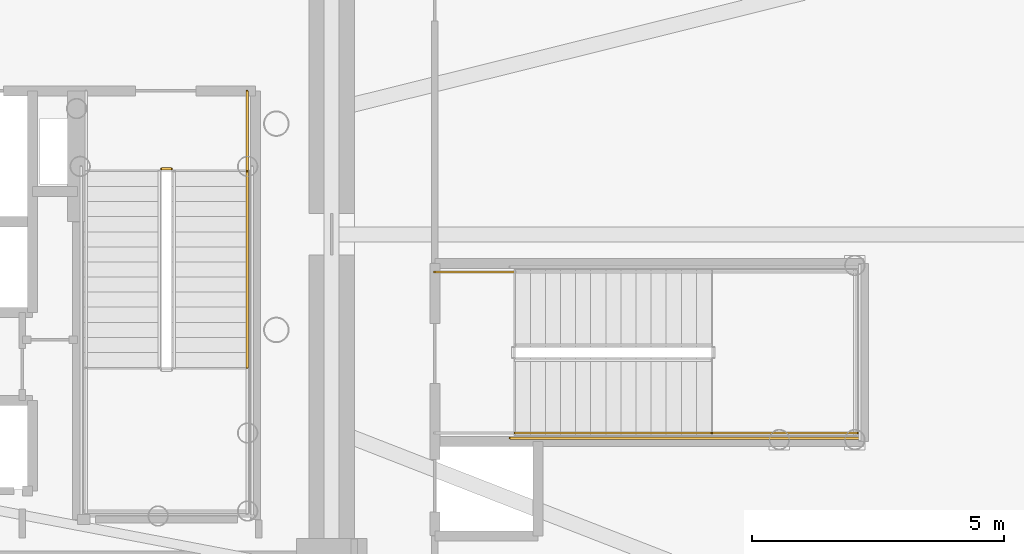
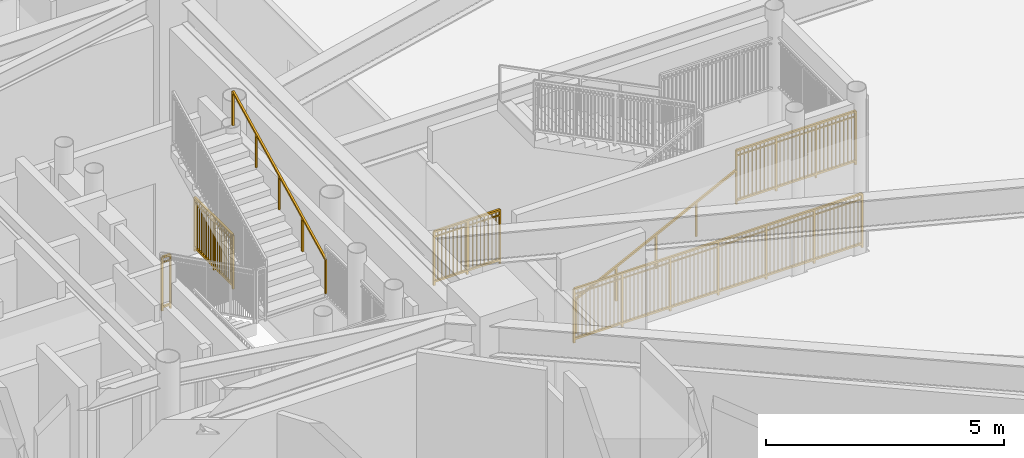
# One storey, part 27 of 30: 7 railings.
"""IFC4 building model written with IfcOpenShell, lengths in metres."""

import ifcopenshell
import ifcopenshell.guid

model = None  # the IFC model being written
_history = None  # IfcOwnerHistory: only IFC2X3 demands one
_inside = {}  # id of a spatial element -> (the spatial element, [elements in it])
_under = {}  # id of a project, library or spatial element -> (it, [spatial elements below it])
_declared = {}  # id of a project -> (the project, [libraries it declares])
_typed = {}  # id of a type object -> (the type object, [elements of that type])
_made_of = {}  # id of a material, layer set ... -> (it, [elements and type objects made of it])


def new_model(schema):
    """Start an empty IFC model of exactly this schema.

    Asked for "IFC4X3", IfcOpenShell would pick the latest addendum, in which some entities
    have other attributes; the version numbers below select the first issue.
    IFC2X3 requires an IfcOwnerHistory on every rooted entity: one is made here for all.
    """
    global model, _history
    if schema == "IFC4X3":
        model = ifcopenshell.file(schema_version=(4, 3, 0, 0))
    else:
        model = ifcopenshell.file(schema=schema)
    _inside.clear()
    _under.clear()
    _declared.clear()
    _typed.clear()
    _made_of.clear()
    _history = None
    if model.schema == "IFC2X3":
        org = make("IfcOrganization", Name="unknown")
        user = make(
            "IfcPersonAndOrganization",
            ThePerson=make("IfcPerson", FamilyName="unknown"),
            TheOrganization=org,
        )
        app = make(
            "IfcApplication",
            ApplicationDeveloper=org,
            Version="unknown",
            ApplicationFullName="unknown",
            ApplicationIdentifier="unknown",
        )
        _history = make(
            "IfcOwnerHistory",
            OwningUser=user,
            OwningApplication=app,
            ChangeAction="ADDED",
            CreationDate=0,
        )
    return model


def make(cls, **values):
    """One entity of the class cls with the attributes given. An attribute that is None is left unset."""
    return model.create_entity(
        cls, **{name: value for name, value in values.items() if value is not None}
    )


def rooted(cls, **values):
    """An entity with a GlobalId (a new one), such as an element, a storey or a relation."""
    return make(cls, GlobalId=ifcopenshell.guid.new(), OwnerHistory=_history, **values)


def si_unit(unit_type, name, prefix=None):
    """IfcSIUnit, for example si_unit("LENGTHUNIT", "METRE", prefix="MILLI")."""
    return make("IfcSIUnit", UnitType=unit_type, Prefix=prefix, Name=name)


def assignment(units):
    """IfcUnitAssignment: the units of a project."""
    return None if units is None else make("IfcUnitAssignment", Units=units)


def point(xyz):
    """IfcCartesianPoint."""
    return None if xyz is None else make("IfcCartesianPoint", Coordinates=xyz)


def direction(xyz):
    """IfcDirection."""
    return None if xyz is None else make("IfcDirection", DirectionRatios=xyz)


def frame(location, z_axis=None, x_axis=None):
    """IfcAxis2Placement3D, a coordinate frame: its origin and axes. An axis left out is left unset."""
    return make(
        "IfcAxis2Placement3D",
        Location=point(location),
        Axis=direction(z_axis),
        RefDirection=direction(x_axis),
    )


def frame_2d(location, x_axis=None):
    """IfcAxis2Placement2D, a coordinate frame in the plane: its origin and x axis."""
    return make(
        "IfcAxis2Placement2D", Location=point(location), RefDirection=direction(x_axis)
    )


def origin():
    """The frame at (0, 0, 0) with its axes left unset."""
    return frame((0.0, 0.0, 0.0))


def origin_2d():
    """The frame at (0, 0) in the plane with its x axis left unset."""
    return frame_2d((0.0, 0.0))


def place(relative_to, where):
    """IfcLocalPlacement: puts the frame where relative to a parent placement (None: the world)."""
    return make(
        "IfcLocalPlacement", PlacementRelTo=relative_to, RelativePlacement=where
    )


def context(
    kind, dimensions, precision=None, world=None, true_north=None, identifier=None
):
    """IfcGeometricRepresentationContext, for example the 3D "Model" context."""
    return make(
        "IfcGeometricRepresentationContext",
        ContextIdentifier=identifier,
        ContextType=kind,
        CoordinateSpaceDimension=dimensions,
        Precision=precision,
        WorldCoordinateSystem=world,
        TrueNorth=true_north,
    )


def subcontext(parent, identifier, kind, view, scale=None):
    """IfcGeometricRepresentationSubContext, for example "Body" below "Model"."""
    return make(
        "IfcGeometricRepresentationSubContext",
        ContextIdentifier=identifier,
        ContextType=kind,
        ParentContext=parent,
        TargetScale=scale,
        TargetView=view,
    )


def project(units=None, contexts=None):
    """IfcProject with its units and contexts."""
    return rooted(
        "IfcProject",
        Name="project",
        RepresentationContexts=contexts,
        UnitsInContext=assignment(units),
    )


def spatial(cls, under=None, at=None, **own):
    """A site, building, storey or space (cls), placed at a placement, below another one or the project."""
    s = rooted(cls, ObjectPlacement=at, **own)
    if under is not None:
        _under.setdefault(under.id(), (under, []))[1].append(s)
    return s


def profile(cls, at=None, kind="AREA", **sizes):
    """A parametric profile (cls). Its sizes go by their IFC names, for example OverallWidth=200.0."""
    return make(cls, ProfileType=kind, Position=at, **sizes)


def rectangle(**sizes):
    """IfcRectangleProfileDef."""
    return profile("IfcRectangleProfileDef", **sizes)


def extrude(swept, where, along, depth):
    """IfcExtrudedAreaSolid: the profile swept, set in the frame where, extruded along a direction by depth."""
    return make(
        "IfcExtrudedAreaSolid",
        SweptArea=swept,
        Position=where,
        ExtrudedDirection=direction(along),
        Depth=depth,
    )


def shape(context_of_items, identifier, shape_type, items):
    """IfcShapeRepresentation: the items that make up one representation, for example the "Body"."""
    return make(
        "IfcShapeRepresentation",
        ContextOfItems=context_of_items,
        RepresentationIdentifier=identifier,
        RepresentationType=shape_type,
        Items=items,
    )


def source(mapping_origin, context_of_items, identifier, shape_type, items):
    """IfcRepresentationMap: a shape defined once, which mapped items show again and again."""
    return make(
        "IfcRepresentationMap",
        MappingOrigin=mapping_origin,
        MappedRepresentation=shape(context_of_items, identifier, shape_type, items),
    )


def transform(
    local_origin,
    x_axis=None,
    y_axis=None,
    z_axis=None,
    scale=None,
    scale2=None,
    scale3=None,
    uniform=True,
):
    """IfcCartesianTransformationOperator3D, or its non-uniform kind. x_axis, y_axis, z_axis: its Axis1, 2, 3."""
    if uniform:
        return make(
            "IfcCartesianTransformationOperator3D",
            Axis1=direction(x_axis),
            Axis2=direction(y_axis),
            LocalOrigin=point(local_origin),
            Scale=scale,
            Axis3=direction(z_axis),
        )
    return make(
        "IfcCartesianTransformationOperator3DnonUniform",
        Axis1=direction(x_axis),
        Axis2=direction(y_axis),
        LocalOrigin=point(local_origin),
        Scale=scale,
        Axis3=direction(z_axis),
        Scale2=scale2,
        Scale3=scale3,
    )


def mapped(mapping_source, mapping_target):
    """IfcMappedItem: shows the shape of a source again, moved by a transform."""
    return make(
        "IfcMappedItem", MappingSource=mapping_source, MappingTarget=mapping_target
    )


def material(Name=None, Category=None):
    """IfcMaterial."""
    return make("IfcMaterial", Name=Name, Category=Category)


def made_of(thing, what):
    """Note that an element or type object is made of a material, layer set ...; save() writes the relation."""
    if what is not None:
        _made_of.setdefault(what.id(), (what, []))[1].append(thing)
    return thing


def type_object(cls, material=None, **own):
    """A type object (cls), such as IfcWallType, which elements share."""
    return made_of(rooted(cls, **own), material)


def element(
    cls,
    number,
    at=None,
    inside=None,
    cuts=None,
    type_object=None,
    material=None,
    context=None,
    identifier="Body",
    shape_type=None,
    held_by="IfcProductDefinitionShape",
    body=None,
    shapes=None,
    **own,
):
    """One element of the class cls, such as IfcWall. Its Tag is "e" and its number.

    at: its placement. inside: the storey or other place that contains it. cuts: it is an
    opening in that element (IfcRelVoidsElement). A single representation is given by context,
    identifier, shape_type and body (its items); several are given by shapes. held_by: the class
    of the entity that holds the representations. save() writes the other relations.
    """
    e = rooted(cls, Tag="e%d" % number, ObjectPlacement=at, **own)
    if body is not None:
        shapes = [shape(context, identifier, shape_type, body)]
    if shapes is not None:
        e.Representation = make(held_by, Representations=shapes)
    if inside is not None:
        _inside.setdefault(inside.id(), (inside, []))[1].append(e)
    if cuts is not None:
        rooted(
            "IfcRelVoidsElement", RelatingBuildingElement=cuts, RelatedOpeningElement=e
        )
    if type_object is not None:
        _typed.setdefault(type_object.id(), (type_object, []))[1].append(e)
    return made_of(e, material)


def aggregate(whole, parts):
    """IfcRelAggregates: a whole, such as a stair, and the parts it consists of."""
    return rooted("IfcRelAggregates", RelatingObject=whole, RelatedObjects=parts)


def save(model, path):
    """Write the relations noted so far, then the file.

    IfcRelAggregates (storeys below a building ...), IfcRelContainedInSpatialStructure (elements
    in a storey), IfcRelDefinesByType, IfcRelAssociatesMaterial and IfcRelDeclares: one each for
    every whole, place, type object, material and project.
    """
    for whole, parts in _under.values():
        aggregate(whole, parts)
    for where, things in _inside.values():
        rooted(
            "IfcRelContainedInSpatialStructure",
            RelatedElements=things,
            RelatingStructure=where,
        )
    for kind, things in _typed.values():
        rooted("IfcRelDefinesByType", RelatedObjects=things, RelatingType=kind)
    for what, things in _made_of.values():
        rooted("IfcRelAssociatesMaterial", RelatedObjects=things, RelatingMaterial=what)
    for by, libraries in _declared.values():
        rooted("IfcRelDeclares", RelatingContext=by, RelatedDefinitions=libraries)
    model.write(path)


model = new_model("IFC4")

# Units and contexts
model_context = context("Model", 3, precision=1e-05, world=origin(), true_north=direction((0.0, 1.0)))
body_context = subcontext(model_context, "Body", "Model", "MODEL_VIEW")
ifc_project = project(units=[si_unit("LENGTHUNIT", "METRE"), si_unit("AREAUNIT", "SQUARE_METRE"), si_unit("VOLUMEUNIT", "CUBIC_METRE"), si_unit("PLANEANGLEUNIT", "RADIAN"), si_unit("MASSUNIT", "GRAM", prefix="KILO")], contexts=[model_context])

# Site, building, storey
site_placement = place(None, origin())
site = spatial("IfcSite", under=ifc_project, at=site_placement, CompositionType="ELEMENT")
building_placement = place(site_placement, origin())
building = spatial("IfcBuilding", under=site, at=building_placement, Name="Linh Dai School and Residence Tower", CompositionType="ELEMENT")
storey_placement = place(building_placement, frame((0.0, 0.0, 10.199951171875)))
storey = spatial("IfcBuildingStorey", under=building, at=storey_placement, Name="L02", CompositionType="ELEMENT", Elevation=10.199951171875)

# Railings
ifc_material_1 = material(Name="Structural Steel S355JR", Category="steel")
railing_type_1 = type_object("IfcRailingType", Name="RL-ST-GUARD-1400", PredefinedType="GUARDRAIL", material=ifc_material_1)
shared_shape_1 = source(origin(), body_context, "Body", "SweptSolid", [
    extrude(rectangle(XDim=0.048095703125, YDim=0.048095703125, at=origin_2d()), frame((0.0, 0.0, 1.3759765625), z_axis=(1.0, 0.0, 0.0), x_axis=(0.0, 1.0, 0.0)), (0.0, 0.0, 1.0), 0.199951171875),
    extrude(rectangle(XDim=0.048095703125, YDim=0.048095703125, at=origin_2d()), frame((0.0, 0.0, 0.10009765625), z_axis=(1.0, 0.0, 0.0), x_axis=(0.0, 1.0, 0.0)), (0.0, 0.0, 1.0), 0.199951171875),
    extrude(rectangle(XDim=0.030029296875, YDim=0.030029296875, at=origin_2d()), frame((0.0, 0.0, 1.239990234375), z_axis=(1.0, 0.0, 0.0), x_axis=(0.0, 1.0, 0.0)), (0.0, 0.0, 1.0), 0.199951171875),
    extrude(rectangle(XDim=0.0419921875, YDim=0.0419921875, at=origin_2d()), origin(), (0.0, 0.0, 1.0), 1.3759765625),
    extrude(rectangle(XDim=0.0419921875, YDim=0.0419921875, at=origin_2d()), frame((0.199951171875, 0.0, 0.0)), (0.0, 0.0, 1.0), 1.3759765625),
])
railing_1_placement = place(storey_placement, frame((42.570068359375, 28.300048828125, 0.0)))
element("IfcRailing", 1, at=railing_1_placement, inside=storey, type_object=railing_type_1, Name="L02 ST2 stair guard 7", PredefinedType="GUARDRAIL", context=body_context, shape_type="MappedRepresentation", body=[
    mapped(shared_shape_1, transform((0.0, 0.0, 0.0), x_axis=(1.0, 0.0, 0.0), y_axis=(0.0, 1.0, 0.0), z_axis=(0.0, 0.0, 1.0), scale=1.0)),
])
shared_shape_2 = source(origin(), body_context, "Body", "SweptSolid", [
    extrude(rectangle(XDim=0.048095703125, YDim=0.048095703125, at=origin_2d()), frame((0.0, 0.0, 1.3759765625), z_axis=(0.0, -1.0, 0.0), x_axis=(1.0, 0.0, 0.0)), (0.0, 0.0, 1.0), 1.60009765625),
    extrude(rectangle(XDim=0.048095703125, YDim=0.048095703125, at=origin_2d()), frame((0.0, 0.0, 0.10009765625), z_axis=(0.0, -1.0, 0.0), x_axis=(1.0, 0.0, 0.0)), (0.0, 0.0, 1.0), 1.60009765625),
    extrude(rectangle(XDim=0.030029296875, YDim=0.030029296875, at=origin_2d()), frame((0.0, 0.0, 1.239990234375), z_axis=(0.0, -1.0, 0.0), x_axis=(1.0, 0.0, 0.0)), (0.0, 0.0, 1.0), 1.60009765625),
    extrude(rectangle(XDim=0.02001953125, YDim=0.02001953125, at=origin_2d()), frame((0.0, -0.09423828125, 0.10009765625)), (0.0, 0.0, 1.0), 1.251708984375),
    extrude(rectangle(XDim=0.02001953125, YDim=0.02001953125, at=origin_2d()), frame((0.0, -0.188232421875, 0.10009765625)), (0.0, 0.0, 1.0), 1.251708984375),
    extrude(rectangle(XDim=0.02001953125, YDim=0.02001953125, at=origin_2d()), frame((0.0, -0.282470703125, 0.10009765625)), (0.0, 0.0, 1.0), 1.251708984375),
    extrude(rectangle(XDim=0.02001953125, YDim=0.02001953125, at=origin_2d()), frame((0.0, -0.37646484375, 0.10009765625)), (0.0, 0.0, 1.0), 1.251708984375),
    extrude(rectangle(XDim=0.02001953125, YDim=0.02001953125, at=origin_2d()), frame((0.0, -0.470703125, 0.10009765625)), (0.0, 0.0, 1.0), 1.251708984375),
    extrude(rectangle(XDim=0.02001953125, YDim=0.02001953125, at=origin_2d()), frame((0.0, -0.564697265625, 0.10009765625)), (0.0, 0.0, 1.0), 1.251708984375),
    extrude(rectangle(XDim=0.02001953125, YDim=0.02001953125, at=origin_2d()), frame((0.0, -0.658935546875, 0.10009765625)), (0.0, 0.0, 1.0), 1.251708984375),
    extrude(rectangle(XDim=0.02001953125, YDim=0.02001953125, at=origin_2d()), frame((0.0, -0.7529296875, 0.10009765625)), (0.0, 0.0, 1.0), 1.251708984375),
    extrude(rectangle(XDim=0.02001953125, YDim=0.02001953125, at=origin_2d()), frame((0.0, -0.84716796875, 0.10009765625)), (0.0, 0.0, 1.0), 1.251708984375),
    extrude(rectangle(XDim=0.02001953125, YDim=0.02001953125, at=origin_2d()), frame((0.0, -0.941162109375, 0.10009765625)), (0.0, 0.0, 1.0), 1.251708984375),
    extrude(rectangle(XDim=0.02001953125, YDim=0.02001953125, at=origin_2d()), frame((0.0, -1.035400390625, 0.10009765625)), (0.0, 0.0, 1.0), 1.251708984375),
    extrude(rectangle(XDim=0.02001953125, YDim=0.02001953125, at=origin_2d()), frame((0.0, -1.12939453125, 0.10009765625)), (0.0, 0.0, 1.0), 1.251708984375),
    extrude(rectangle(XDim=0.02001953125, YDim=0.02001953125, at=origin_2d()), frame((0.0, -1.2236328125, 0.10009765625)), (0.0, 0.0, 1.0), 1.251708984375),
    extrude(rectangle(XDim=0.02001953125, YDim=0.02001953125, at=origin_2d()), frame((0.0, -1.317626953125, 0.10009765625)), (0.0, 0.0, 1.0), 1.251708984375),
    extrude(rectangle(XDim=0.02001953125, YDim=0.02001953125, at=origin_2d()), frame((0.0, -1.411865234375, 0.10009765625)), (0.0, 0.0, 1.0), 1.251708984375),
    extrude(rectangle(XDim=0.02001953125, YDim=0.02001953125, at=origin_2d()), frame((0.0, -1.505859375, 0.10009765625)), (0.0, 0.0, 1.0), 1.251708984375),
    extrude(rectangle(XDim=0.0419921875, YDim=0.0419921875, at=origin_2d()), origin(), (0.0, 0.0, 1.0), 1.3759765625),
    extrude(rectangle(XDim=0.0419921875, YDim=0.0419921875, at=origin_2d()), frame((0.0, -0.800048828125, 0.0)), (0.0, 0.0, 1.0), 1.3759765625),
    extrude(rectangle(XDim=0.0419921875, YDim=0.0419921875, at=origin_2d()), frame((0.0, -1.60009765625, 0.0)), (0.0, 0.0, 1.0), 1.3759765625),
])
railing_2_placement = place(storey_placement, frame((44.27001953125, 29.85009765625, 0.0)))
element("IfcRailing", 2, at=railing_2_placement, inside=storey, type_object=railing_type_1, Name="L02 ST2 stair guard 9", PredefinedType="GUARDRAIL", context=body_context, shape_type="MappedRepresentation", body=[
    mapped(shared_shape_2, transform((0.0, 0.0, 0.0), x_axis=(1.0, 0.0, 0.0), y_axis=(0.0, 1.0, 0.0), z_axis=(0.0, 0.0, 1.0), scale=1.0)),
])
ifc_material_2 = material(Name="Brushed Stainless Steel Handrail", Category="steel")
railing_type_2 = type_object("IfcRailingType", Name="RL-ST-HANDRAIL-900", PredefinedType="HANDRAIL", material=ifc_material_2)
shared_shape_3 = source(origin(), body_context, "Body", "SweptSolid", [
    extrude(rectangle(XDim=0.048095703125, YDim=0.048095703125, at=origin_2d()), frame((0.0, 0.0, 0.8759765625), z_axis=(0.0, 0.894427191, 0.4472135955), x_axis=(-1.0, 0.0, 0.0)), (0.0, 0.0, 1.0), 4.360107421875),
    extrude(rectangle(XDim=0.0419921875, YDim=0.0419921875, at=origin_2d()), origin(), (0.0, 0.0, 1.0), 0.8759765625),
    extrude(rectangle(XDim=0.0419921875, YDim=0.0419921875, at=origin_2d()), frame((0.0, 0.97509765625, 0.487548828125)), (0.0, 0.0, 1.0), 0.8759765625),
    extrude(rectangle(XDim=0.0419921875, YDim=0.0419921875, at=origin_2d()), frame((0.0, 1.949951171875, 0.97509765625)), (0.0, 0.0, 1.0), 0.8759765625),
    extrude(rectangle(XDim=0.0419921875, YDim=0.0419921875, at=origin_2d()), frame((0.0, 2.9248046875, 1.46240234375)), (0.0, 0.0, 1.0), 0.8759765625),
    extrude(rectangle(XDim=0.0419921875, YDim=0.0419921875, at=origin_2d()), frame((0.0, 3.89990234375, 1.949951171875)), (0.0, 0.0, 1.0), 0.8759765625),
])
railing_3_placement = place(storey_placement, frame((44.27001953125, 24.35009765625, 2.25)))
element("IfcRailing", 3, at=railing_3_placement, inside=storey, type_object=railing_type_2, Name="L02 ST2 stair handrail 2", PredefinedType="HANDRAIL", context=body_context, shape_type="MappedRepresentation", body=[
    mapped(shared_shape_3, transform((0.0, 0.0, 0.0), x_axis=(1.0, 0.0, 0.0), y_axis=(0.0, 1.0, 0.0), z_axis=(0.0, 0.0, 1.0), scale=1.0)),
])
shared_shape_4 = source(origin(), body_context, "Body", "SweptSolid", [
    extrude(rectangle(XDim=0.048095703125, YDim=0.048095703125, at=origin_2d()), frame((0.0, 0.0, 0.8759765625), z_axis=(0.894427191, 0.0, 0.4472135955), x_axis=(0.0, 1.0, 0.0)), (0.0, 0.0, 1.0), 4.360107421875),
    extrude(rectangle(XDim=0.0419921875, YDim=0.0419921875, at=origin_2d()), origin(), (0.0, 0.0, 1.0), 0.8759765625),
    extrude(rectangle(XDim=0.0419921875, YDim=0.0419921875, at=origin_2d()), frame((0.97509765625, 0.0, 0.487548828125)), (0.0, 0.0, 1.0), 0.8759765625),
    extrude(rectangle(XDim=0.0419921875, YDim=0.0419921875, at=origin_2d()), frame((1.949951171875, 0.0, 0.97509765625)), (0.0, 0.0, 1.0), 0.8759765625),
    extrude(rectangle(XDim=0.0419921875, YDim=0.0419921875, at=origin_2d()), frame((2.9248046875, 0.0, 1.46240234375)), (0.0, 0.0, 1.0), 0.8759765625),
    extrude(rectangle(XDim=0.0419921875, YDim=0.0419921875, at=origin_2d()), frame((3.89990234375, 0.0, 1.949951171875)), (0.0, 0.0, 1.0), 0.8759765625),
])
railing_4_placement = place(storey_placement, frame((49.60009765625, 23.050048828125, 0.150146484375)))
element("IfcRailing", 4, at=railing_4_placement, inside=storey, type_object=railing_type_2, Name="L02 STS2 stair handrail 1", PredefinedType="HANDRAIL", context=body_context, shape_type="MappedRepresentation", body=[
    mapped(shared_shape_4, transform((0.0, 0.0, 0.0), x_axis=(1.0, 0.0, 0.0), y_axis=(0.0, 1.0, 0.0), z_axis=(0.0, 0.0, 1.0), scale=1.0)),
])
shared_shape_5 = source(origin(), body_context, "Body", "SweptSolid", [
    extrude(rectangle(XDim=0.048095703125, YDim=0.048095703125, at=origin_2d()), frame((0.0, 0.0, 1.3759765625), z_axis=(1.0, 0.0, 0.0), x_axis=(0.0, 1.0, 0.0)), (0.0, 0.0, 1.0), 1.60009765625),
    extrude(rectangle(XDim=0.048095703125, YDim=0.048095703125, at=origin_2d()), frame((0.0, 0.0, 0.10009765625), z_axis=(1.0, 0.0, 0.0), x_axis=(0.0, 1.0, 0.0)), (0.0, 0.0, 1.0), 1.60009765625),
    extrude(rectangle(XDim=0.030029296875, YDim=0.030029296875, at=origin_2d()), frame((0.0, 0.0, 1.239990234375), z_axis=(1.0, 0.0, 0.0), x_axis=(0.0, 1.0, 0.0)), (0.0, 0.0, 1.0), 1.60009765625),
    extrude(rectangle(XDim=0.02001953125, YDim=0.02001953125, at=origin_2d()), frame((0.09423828125, 0.0, 0.10009765625)), (0.0, 0.0, 1.0), 1.251708984375),
    extrude(rectangle(XDim=0.02001953125, YDim=0.02001953125, at=origin_2d()), frame((0.188232421875, 0.0, 0.10009765625)), (0.0, 0.0, 1.0), 1.251708984375),
    extrude(rectangle(XDim=0.02001953125, YDim=0.02001953125, at=origin_2d()), frame((0.282470703125, 0.0, 0.10009765625)), (0.0, 0.0, 1.0), 1.251708984375),
    extrude(rectangle(XDim=0.02001953125, YDim=0.02001953125, at=origin_2d()), frame((0.37646484375, 0.0, 0.10009765625)), (0.0, 0.0, 1.0), 1.251708984375),
    extrude(rectangle(XDim=0.02001953125, YDim=0.02001953125, at=origin_2d()), frame((0.470703125, 0.0, 0.10009765625)), (0.0, 0.0, 1.0), 1.251708984375),
    extrude(rectangle(XDim=0.02001953125, YDim=0.02001953125, at=origin_2d()), frame((0.564697265625, 0.0, 0.10009765625)), (0.0, 0.0, 1.0), 1.251708984375),
    extrude(rectangle(XDim=0.02001953125, YDim=0.02001953125, at=origin_2d()), frame((0.658935546875, 0.0, 0.10009765625)), (0.0, 0.0, 1.0), 1.251708984375),
    extrude(rectangle(XDim=0.02001953125, YDim=0.02001953125, at=origin_2d()), frame((0.7529296875, 0.0, 0.10009765625)), (0.0, 0.0, 1.0), 1.251708984375),
    extrude(rectangle(XDim=0.02001953125, YDim=0.02001953125, at=origin_2d()), frame((0.84716796875, 0.0, 0.10009765625)), (0.0, 0.0, 1.0), 1.251708984375),
    extrude(rectangle(XDim=0.02001953125, YDim=0.02001953125, at=origin_2d()), frame((0.941162109375, 0.0, 0.10009765625)), (0.0, 0.0, 1.0), 1.251708984375),
    extrude(rectangle(XDim=0.02001953125, YDim=0.02001953125, at=origin_2d()), frame((1.035400390625, 0.0, 0.10009765625)), (0.0, 0.0, 1.0), 1.251708984375),
    extrude(rectangle(XDim=0.02001953125, YDim=0.02001953125, at=origin_2d()), frame((1.12939453125, 0.0, 0.10009765625)), (0.0, 0.0, 1.0), 1.251708984375),
    extrude(rectangle(XDim=0.02001953125, YDim=0.02001953125, at=origin_2d()), frame((1.2236328125, 0.0, 0.10009765625)), (0.0, 0.0, 1.0), 1.251708984375),
    extrude(rectangle(XDim=0.02001953125, YDim=0.02001953125, at=origin_2d()), frame((1.317626953125, 0.0, 0.10009765625)), (0.0, 0.0, 1.0), 1.251708984375),
    extrude(rectangle(XDim=0.02001953125, YDim=0.02001953125, at=origin_2d()), frame((1.411865234375, 0.0, 0.10009765625)), (0.0, 0.0, 1.0), 1.251708984375),
    extrude(rectangle(XDim=0.02001953125, YDim=0.02001953125, at=origin_2d()), frame((1.505859375, 0.0, 0.10009765625)), (0.0, 0.0, 1.0), 1.251708984375),
    extrude(rectangle(XDim=0.0419921875, YDim=0.0419921875, at=origin_2d()), origin(), (0.0, 0.0, 1.0), 1.3759765625),
    extrude(rectangle(XDim=0.0419921875, YDim=0.0419921875, at=origin_2d()), frame((0.800048828125, 0.0, 0.0)), (0.0, 0.0, 1.0), 1.3759765625),
    extrude(rectangle(XDim=0.0419921875, YDim=0.0419921875, at=origin_2d()), frame((1.60009765625, 0.0, 0.0)), (0.0, 0.0, 1.0), 1.3759765625),
])
railing_5_placement = place(storey_placement, frame((48.0, 26.25, 0.0)))
element("IfcRailing", 5, at=railing_5_placement, inside=storey, type_object=railing_type_1, Name="L02 STS2 stair guard 9", PredefinedType="GUARDRAIL", context=body_context, shape_type="MappedRepresentation", body=[
    mapped(shared_shape_5, transform((0.0, 0.0, 0.0), x_axis=(1.0, 0.0, 0.0), y_axis=(0.0, 1.0, 0.0), z_axis=(0.0, 0.0, 1.0), scale=1.0)),
])
shared_shape_6 = source(origin(), body_context, "Body", "SweptSolid", [
    extrude(rectangle(XDim=0.048095703125, YDim=0.048095703125, at=origin_2d()), frame((0.0, 0.0, 1.3759765625), z_axis=(1.0, 0.0, 0.0), x_axis=(0.0, 1.0, 0.0)), (0.0, 0.0, 1.0), 2.89990234375),
    extrude(rectangle(XDim=0.048095703125, YDim=0.048095703125, at=origin_2d()), frame((0.0, 0.0, 0.10009765625), z_axis=(1.0, 0.0, 0.0), x_axis=(0.0, 1.0, 0.0)), (0.0, 0.0, 1.0), 2.89990234375),
    extrude(rectangle(XDim=0.030029296875, YDim=0.030029296875, at=origin_2d()), frame((0.0, 0.0, 1.239990234375), z_axis=(1.0, 0.0, 0.0), x_axis=(0.0, 1.0, 0.0)), (0.0, 0.0, 1.0), 2.89990234375),
    extrude(rectangle(XDim=0.02001953125, YDim=0.02001953125, at=origin_2d()), frame((0.0966796875, 0.0, 0.10009765625)), (0.0, 0.0, 1.0), 1.251708984375),
    extrude(rectangle(XDim=0.02001953125, YDim=0.02001953125, at=origin_2d()), frame((0.193359375, 0.0, 0.10009765625)), (0.0, 0.0, 1.0), 1.251708984375),
    extrude(rectangle(XDim=0.02001953125, YDim=0.02001953125, at=origin_2d()), frame((0.2900390625, 0.0, 0.10009765625)), (0.0, 0.0, 1.0), 1.251708984375),
    extrude(rectangle(XDim=0.02001953125, YDim=0.02001953125, at=origin_2d()), frame((0.38671875, 0.0, 0.10009765625)), (0.0, 0.0, 1.0), 1.251708984375),
    extrude(rectangle(XDim=0.02001953125, YDim=0.02001953125, at=origin_2d()), frame((0.4833984375, 0.0, 0.10009765625)), (0.0, 0.0, 1.0), 1.251708984375),
    extrude(rectangle(XDim=0.02001953125, YDim=0.02001953125, at=origin_2d()), frame((0.580078125, 0.0, 0.10009765625)), (0.0, 0.0, 1.0), 1.251708984375),
    extrude(rectangle(XDim=0.02001953125, YDim=0.02001953125, at=origin_2d()), frame((0.6767578125, 0.0, 0.10009765625)), (0.0, 0.0, 1.0), 1.251708984375),
    extrude(rectangle(XDim=0.02001953125, YDim=0.02001953125, at=origin_2d()), frame((0.773193359375, 0.0, 0.10009765625)), (0.0, 0.0, 1.0), 1.251708984375),
    extrude(rectangle(XDim=0.02001953125, YDim=0.02001953125, at=origin_2d()), frame((0.869873046875, 0.0, 0.10009765625)), (0.0, 0.0, 1.0), 1.251708984375),
    extrude(rectangle(XDim=0.02001953125, YDim=0.02001953125, at=origin_2d()), frame((1.063232421875, 0.0, 0.10009765625)), (0.0, 0.0, 1.0), 1.251708984375),
    extrude(rectangle(XDim=0.02001953125, YDim=0.02001953125, at=origin_2d()), frame((1.159912109375, 0.0, 0.10009765625)), (0.0, 0.0, 1.0), 1.251708984375),
    extrude(rectangle(XDim=0.02001953125, YDim=0.02001953125, at=origin_2d()), frame((1.256591796875, 0.0, 0.10009765625)), (0.0, 0.0, 1.0), 1.251708984375),
    extrude(rectangle(XDim=0.02001953125, YDim=0.02001953125, at=origin_2d()), frame((1.353271484375, 0.0, 0.10009765625)), (0.0, 0.0, 1.0), 1.251708984375),
    extrude(rectangle(XDim=0.02001953125, YDim=0.02001953125, at=origin_2d()), frame((1.449951171875, 0.0, 0.10009765625)), (0.0, 0.0, 1.0), 1.251708984375),
    extrude(rectangle(XDim=0.02001953125, YDim=0.02001953125, at=origin_2d()), frame((1.546630859375, 0.0, 0.10009765625)), (0.0, 0.0, 1.0), 1.251708984375),
    extrude(rectangle(XDim=0.02001953125, YDim=0.02001953125, at=origin_2d()), frame((1.643310546875, 0.0, 0.10009765625)), (0.0, 0.0, 1.0), 1.251708984375),
    extrude(rectangle(XDim=0.02001953125, YDim=0.02001953125, at=origin_2d()), frame((1.739990234375, 0.0, 0.10009765625)), (0.0, 0.0, 1.0), 1.251708984375),
    extrude(rectangle(XDim=0.02001953125, YDim=0.02001953125, at=origin_2d()), frame((1.836669921875, 0.0, 0.10009765625)), (0.0, 0.0, 1.0), 1.251708984375),
    extrude(rectangle(XDim=0.02001953125, YDim=0.02001953125, at=origin_2d()), frame((2.030029296875, 0.0, 0.10009765625)), (0.0, 0.0, 1.0), 1.251708984375),
    extrude(rectangle(XDim=0.02001953125, YDim=0.02001953125, at=origin_2d()), frame((2.126708984375, 0.0, 0.10009765625)), (0.0, 0.0, 1.0), 1.251708984375),
    extrude(rectangle(XDim=0.02001953125, YDim=0.02001953125, at=origin_2d()), frame((2.22314453125, 0.0, 0.10009765625)), (0.0, 0.0, 1.0), 1.251708984375),
    extrude(rectangle(XDim=0.02001953125, YDim=0.02001953125, at=origin_2d()), frame((2.31982421875, 0.0, 0.10009765625)), (0.0, 0.0, 1.0), 1.251708984375),
    extrude(rectangle(XDim=0.02001953125, YDim=0.02001953125, at=origin_2d()), frame((2.41650390625, 0.0, 0.10009765625)), (0.0, 0.0, 1.0), 1.251708984375),
    extrude(rectangle(XDim=0.02001953125, YDim=0.02001953125, at=origin_2d()), frame((2.51318359375, 0.0, 0.10009765625)), (0.0, 0.0, 1.0), 1.251708984375),
    extrude(rectangle(XDim=0.02001953125, YDim=0.02001953125, at=origin_2d()), frame((2.60986328125, 0.0, 0.10009765625)), (0.0, 0.0, 1.0), 1.251708984375),
    extrude(rectangle(XDim=0.02001953125, YDim=0.02001953125, at=origin_2d()), frame((2.70654296875, 0.0, 0.10009765625)), (0.0, 0.0, 1.0), 1.251708984375),
    extrude(rectangle(XDim=0.02001953125, YDim=0.02001953125, at=origin_2d()), frame((2.80322265625, 0.0, 0.10009765625)), (0.0, 0.0, 1.0), 1.251708984375),
    extrude(rectangle(XDim=0.0419921875, YDim=0.0419921875, at=origin_2d()), origin(), (0.0, 0.0, 1.0), 1.3759765625),
    extrude(rectangle(XDim=0.0419921875, YDim=0.0419921875, at=origin_2d()), frame((0.966552734375, 0.0, 0.0)), (0.0, 0.0, 1.0), 1.3759765625),
    extrude(rectangle(XDim=0.0419921875, YDim=0.0419921875, at=origin_2d()), frame((1.933349609375, 0.0, 0.0)), (0.0, 0.0, 1.0), 1.3759765625),
    extrude(rectangle(XDim=0.0419921875, YDim=0.0419921875, at=origin_2d()), frame((2.89990234375, 0.0, 0.0)), (0.0, 0.0, 1.0), 1.3759765625),
])
railing_6_placement = place(storey_placement, frame((53.5, 23.050048828125, 2.10009765625)))
element("IfcRailing", 6, at=railing_6_placement, inside=storey, type_object=railing_type_1, Name="L02 STS2 stair guard 3", PredefinedType="GUARDRAIL", context=body_context, shape_type="MappedRepresentation", body=[
    mapped(shared_shape_6, transform((0.0, 0.0, 0.0), x_axis=(1.0, 0.0, 0.0), y_axis=(0.0, 1.0, 0.0), z_axis=(0.0, 0.0, 1.0), scale=1.0)),
])
shared_shape_7 = source(origin(), body_context, "Body", "SweptSolid", [
    extrude(rectangle(XDim=0.048095703125, YDim=0.048095703125, at=origin_2d()), frame((0.0, 0.0, 1.3759765625), z_axis=(1.0, 0.0, 0.0), x_axis=(0.0, 1.0, 0.0)), (0.0, 0.0, 1.0), 7.0),
    extrude(rectangle(XDim=0.048095703125, YDim=0.048095703125, at=origin_2d()), frame((0.0, 0.0, 0.10009765625), z_axis=(1.0, 0.0, 0.0), x_axis=(0.0, 1.0, 0.0)), (0.0, 0.0, 1.0), 7.0),
    extrude(rectangle(XDim=0.030029296875, YDim=0.030029296875, at=origin_2d()), frame((0.0, 0.0, 1.239990234375), z_axis=(1.0, 0.0, 0.0), x_axis=(0.0, 1.0, 0.0)), (0.0, 0.0, 1.0), 7.0),
    extrude(rectangle(XDim=0.02001953125, YDim=0.02001953125, at=origin_2d()), frame((0.09716796875, 0.0, 0.10009765625)), (0.0, 0.0, 1.0), 1.251708984375),
    extrude(rectangle(XDim=0.02001953125, YDim=0.02001953125, at=origin_2d()), frame((0.1943359375, 0.0, 0.10009765625)), (0.0, 0.0, 1.0), 1.251708984375),
    extrude(rectangle(XDim=0.02001953125, YDim=0.02001953125, at=origin_2d()), frame((0.291748046875, 0.0, 0.10009765625)), (0.0, 0.0, 1.0), 1.251708984375),
    extrude(rectangle(XDim=0.02001953125, YDim=0.02001953125, at=origin_2d()), frame((0.388916015625, 0.0, 0.10009765625)), (0.0, 0.0, 1.0), 1.251708984375),
    extrude(rectangle(XDim=0.02001953125, YDim=0.02001953125, at=origin_2d()), frame((0.486083984375, 0.0, 0.10009765625)), (0.0, 0.0, 1.0), 1.251708984375),
    extrude(rectangle(XDim=0.02001953125, YDim=0.02001953125, at=origin_2d()), frame((0.583251953125, 0.0, 0.10009765625)), (0.0, 0.0, 1.0), 1.251708984375),
    extrude(rectangle(XDim=0.02001953125, YDim=0.02001953125, at=origin_2d()), frame((0.6806640625, 0.0, 0.10009765625)), (0.0, 0.0, 1.0), 1.251708984375),
    extrude(rectangle(XDim=0.02001953125, YDim=0.02001953125, at=origin_2d()), frame((0.77783203125, 0.0, 0.10009765625)), (0.0, 0.0, 1.0), 1.251708984375),
    extrude(rectangle(XDim=0.02001953125, YDim=0.02001953125, at=origin_2d()), frame((0.875, 0.0, 0.10009765625)), (0.0, 0.0, 1.0), 1.251708984375),
    extrude(rectangle(XDim=0.02001953125, YDim=0.02001953125, at=origin_2d()), frame((0.97216796875, 0.0, 0.10009765625)), (0.0, 0.0, 1.0), 1.251708984375),
    extrude(rectangle(XDim=0.02001953125, YDim=0.02001953125, at=origin_2d()), frame((1.0693359375, 0.0, 0.10009765625)), (0.0, 0.0, 1.0), 1.251708984375),
    extrude(rectangle(XDim=0.02001953125, YDim=0.02001953125, at=origin_2d()), frame((1.263916015625, 0.0, 0.10009765625)), (0.0, 0.0, 1.0), 1.251708984375),
    extrude(rectangle(XDim=0.02001953125, YDim=0.02001953125, at=origin_2d()), frame((1.361083984375, 0.0, 0.10009765625)), (0.0, 0.0, 1.0), 1.251708984375),
    extrude(rectangle(XDim=0.02001953125, YDim=0.02001953125, at=origin_2d()), frame((1.458251953125, 0.0, 0.10009765625)), (0.0, 0.0, 1.0), 1.251708984375),
    extrude(rectangle(XDim=0.02001953125, YDim=0.02001953125, at=origin_2d()), frame((1.5556640625, 0.0, 0.10009765625)), (0.0, 0.0, 1.0), 1.251708984375),
    extrude(rectangle(XDim=0.02001953125, YDim=0.02001953125, at=origin_2d()), frame((1.65283203125, 0.0, 0.10009765625)), (0.0, 0.0, 1.0), 1.251708984375),
    extrude(rectangle(XDim=0.02001953125, YDim=0.02001953125, at=origin_2d()), frame((1.75, 0.0, 0.10009765625)), (0.0, 0.0, 1.0), 1.251708984375),
    extrude(rectangle(XDim=0.02001953125, YDim=0.02001953125, at=origin_2d()), frame((1.84716796875, 0.0, 0.10009765625)), (0.0, 0.0, 1.0), 1.251708984375),
    extrude(rectangle(XDim=0.02001953125, YDim=0.02001953125, at=origin_2d()), frame((1.9443359375, 0.0, 0.10009765625)), (0.0, 0.0, 1.0), 1.251708984375),
    extrude(rectangle(XDim=0.02001953125, YDim=0.02001953125, at=origin_2d()), frame((2.041748046875, 0.0, 0.10009765625)), (0.0, 0.0, 1.0), 1.251708984375),
    extrude(rectangle(XDim=0.02001953125, YDim=0.02001953125, at=origin_2d()), frame((2.138916015625, 0.0, 0.10009765625)), (0.0, 0.0, 1.0), 1.251708984375),
    extrude(rectangle(XDim=0.02001953125, YDim=0.02001953125, at=origin_2d()), frame((2.236083984375, 0.0, 0.10009765625)), (0.0, 0.0, 1.0), 1.251708984375),
    extrude(rectangle(XDim=0.02001953125, YDim=0.02001953125, at=origin_2d()), frame((2.4306640625, 0.0, 0.10009765625)), (0.0, 0.0, 1.0), 1.251708984375),
    extrude(rectangle(XDim=0.02001953125, YDim=0.02001953125, at=origin_2d()), frame((2.52783203125, 0.0, 0.10009765625)), (0.0, 0.0, 1.0), 1.251708984375),
    extrude(rectangle(XDim=0.02001953125, YDim=0.02001953125, at=origin_2d()), frame((2.625, 0.0, 0.10009765625)), (0.0, 0.0, 1.0), 1.251708984375),
    extrude(rectangle(XDim=0.02001953125, YDim=0.02001953125, at=origin_2d()), frame((2.72216796875, 0.0, 0.10009765625)), (0.0, 0.0, 1.0), 1.251708984375),
    extrude(rectangle(XDim=0.02001953125, YDim=0.02001953125, at=origin_2d()), frame((2.8193359375, 0.0, 0.10009765625)), (0.0, 0.0, 1.0), 1.251708984375),
    extrude(rectangle(XDim=0.02001953125, YDim=0.02001953125, at=origin_2d()), frame((2.916748046875, 0.0, 0.10009765625)), (0.0, 0.0, 1.0), 1.251708984375),
    extrude(rectangle(XDim=0.02001953125, YDim=0.02001953125, at=origin_2d()), frame((3.013916015625, 0.0, 0.10009765625)), (0.0, 0.0, 1.0), 1.251708984375),
    extrude(rectangle(XDim=0.02001953125, YDim=0.02001953125, at=origin_2d()), frame((3.111083984375, 0.0, 0.10009765625)), (0.0, 0.0, 1.0), 1.251708984375),
    extrude(rectangle(XDim=0.02001953125, YDim=0.02001953125, at=origin_2d()), frame((3.208251953125, 0.0, 0.10009765625)), (0.0, 0.0, 1.0), 1.251708984375),
    extrude(rectangle(XDim=0.02001953125, YDim=0.02001953125, at=origin_2d()), frame((3.3056640625, 0.0, 0.10009765625)), (0.0, 0.0, 1.0), 1.251708984375),
    extrude(rectangle(XDim=0.02001953125, YDim=0.02001953125, at=origin_2d()), frame((3.40283203125, 0.0, 0.10009765625)), (0.0, 0.0, 1.0), 1.251708984375),
    extrude(rectangle(XDim=0.02001953125, YDim=0.02001953125, at=origin_2d()), frame((3.59716796875, 0.0, 0.10009765625)), (0.0, 0.0, 1.0), 1.251708984375),
    extrude(rectangle(XDim=0.02001953125, YDim=0.02001953125, at=origin_2d()), frame((3.6943359375, 0.0, 0.10009765625)), (0.0, 0.0, 1.0), 1.251708984375),
    extrude(rectangle(XDim=0.02001953125, YDim=0.02001953125, at=origin_2d()), frame((3.791748046875, 0.0, 0.10009765625)), (0.0, 0.0, 1.0), 1.251708984375),
    extrude(rectangle(XDim=0.02001953125, YDim=0.02001953125, at=origin_2d()), frame((3.888916015625, 0.0, 0.10009765625)), (0.0, 0.0, 1.0), 1.251708984375),
    extrude(rectangle(XDim=0.02001953125, YDim=0.02001953125, at=origin_2d()), frame((3.986083984375, 0.0, 0.10009765625)), (0.0, 0.0, 1.0), 1.251708984375),
    extrude(rectangle(XDim=0.02001953125, YDim=0.02001953125, at=origin_2d()), frame((4.083251953125, 0.0, 0.10009765625)), (0.0, 0.0, 1.0), 1.251708984375),
    extrude(rectangle(XDim=0.02001953125, YDim=0.02001953125, at=origin_2d()), frame((4.1806640625, 0.0, 0.10009765625)), (0.0, 0.0, 1.0), 1.251708984375),
    extrude(rectangle(XDim=0.02001953125, YDim=0.02001953125, at=origin_2d()), frame((4.27783203125, 0.0, 0.10009765625)), (0.0, 0.0, 1.0), 1.251708984375),
    extrude(rectangle(XDim=0.02001953125, YDim=0.02001953125, at=origin_2d()), frame((4.375, 0.0, 0.10009765625)), (0.0, 0.0, 1.0), 1.251708984375),
    extrude(rectangle(XDim=0.02001953125, YDim=0.02001953125, at=origin_2d()), frame((4.47216796875, 0.0, 0.10009765625)), (0.0, 0.0, 1.0), 1.251708984375),
    extrude(rectangle(XDim=0.02001953125, YDim=0.02001953125, at=origin_2d()), frame((4.5693359375, 0.0, 0.10009765625)), (0.0, 0.0, 1.0), 1.251708984375),
    extrude(rectangle(XDim=0.02001953125, YDim=0.02001953125, at=origin_2d()), frame((4.763916015625, 0.0, 0.10009765625)), (0.0, 0.0, 1.0), 1.251708984375),
    extrude(rectangle(XDim=0.02001953125, YDim=0.02001953125, at=origin_2d()), frame((4.861083984375, 0.0, 0.10009765625)), (0.0, 0.0, 1.0), 1.251708984375),
    extrude(rectangle(XDim=0.02001953125, YDim=0.02001953125, at=origin_2d()), frame((4.958251953125, 0.0, 0.10009765625)), (0.0, 0.0, 1.0), 1.251708984375),
    extrude(rectangle(XDim=0.02001953125, YDim=0.02001953125, at=origin_2d()), frame((5.0556640625, 0.0, 0.10009765625)), (0.0, 0.0, 1.0), 1.251708984375),
    extrude(rectangle(XDim=0.02001953125, YDim=0.02001953125, at=origin_2d()), frame((5.15283203125, 0.0, 0.10009765625)), (0.0, 0.0, 1.0), 1.251708984375),
    extrude(rectangle(XDim=0.02001953125, YDim=0.02001953125, at=origin_2d()), frame((5.25, 0.0, 0.10009765625)), (0.0, 0.0, 1.0), 1.251708984375),
    extrude(rectangle(XDim=0.02001953125, YDim=0.02001953125, at=origin_2d()), frame((5.34716796875, 0.0, 0.10009765625)), (0.0, 0.0, 1.0), 1.251708984375),
    extrude(rectangle(XDim=0.02001953125, YDim=0.02001953125, at=origin_2d()), frame((5.4443359375, 0.0, 0.10009765625)), (0.0, 0.0, 1.0), 1.251708984375),
    extrude(rectangle(XDim=0.02001953125, YDim=0.02001953125, at=origin_2d()), frame((5.541748046875, 0.0, 0.10009765625)), (0.0, 0.0, 1.0), 1.251708984375),
    extrude(rectangle(XDim=0.02001953125, YDim=0.02001953125, at=origin_2d()), frame((5.638916015625, 0.0, 0.10009765625)), (0.0, 0.0, 1.0), 1.251708984375),
    extrude(rectangle(XDim=0.02001953125, YDim=0.02001953125, at=origin_2d()), frame((5.736083984375, 0.0, 0.10009765625)), (0.0, 0.0, 1.0), 1.251708984375),
    extrude(rectangle(XDim=0.02001953125, YDim=0.02001953125, at=origin_2d()), frame((5.9306640625, 0.0, 0.10009765625)), (0.0, 0.0, 1.0), 1.251708984375),
    extrude(rectangle(XDim=0.02001953125, YDim=0.02001953125, at=origin_2d()), frame((6.02783203125, 0.0, 0.10009765625)), (0.0, 0.0, 1.0), 1.251708984375),
    extrude(rectangle(XDim=0.02001953125, YDim=0.02001953125, at=origin_2d()), frame((6.125, 0.0, 0.10009765625)), (0.0, 0.0, 1.0), 1.251708984375),
    extrude(rectangle(XDim=0.02001953125, YDim=0.02001953125, at=origin_2d()), frame((6.22216796875, 0.0, 0.10009765625)), (0.0, 0.0, 1.0), 1.251708984375),
    extrude(rectangle(XDim=0.02001953125, YDim=0.02001953125, at=origin_2d()), frame((6.3193359375, 0.0, 0.10009765625)), (0.0, 0.0, 1.0), 1.251708984375),
    extrude(rectangle(XDim=0.02001953125, YDim=0.02001953125, at=origin_2d()), frame((6.416748046875, 0.0, 0.10009765625)), (0.0, 0.0, 1.0), 1.251708984375),
    extrude(rectangle(XDim=0.02001953125, YDim=0.02001953125, at=origin_2d()), frame((6.513916015625, 0.0, 0.10009765625)), (0.0, 0.0, 1.0), 1.251708984375),
    extrude(rectangle(XDim=0.02001953125, YDim=0.02001953125, at=origin_2d()), frame((6.611083984375, 0.0, 0.10009765625)), (0.0, 0.0, 1.0), 1.251708984375),
    extrude(rectangle(XDim=0.02001953125, YDim=0.02001953125, at=origin_2d()), frame((6.708251953125, 0.0, 0.10009765625)), (0.0, 0.0, 1.0), 1.251708984375),
    extrude(rectangle(XDim=0.02001953125, YDim=0.02001953125, at=origin_2d()), frame((6.8056640625, 0.0, 0.10009765625)), (0.0, 0.0, 1.0), 1.251708984375),
    extrude(rectangle(XDim=0.02001953125, YDim=0.02001953125, at=origin_2d()), frame((6.90283203125, 0.0, 0.10009765625)), (0.0, 0.0, 1.0), 1.251708984375),
    extrude(rectangle(XDim=0.0419921875, YDim=0.0419921875, at=origin_2d()), origin(), (0.0, 0.0, 1.0), 1.3759765625),
    extrude(rectangle(XDim=0.0419921875, YDim=0.0419921875, at=origin_2d()), frame((1.166748046875, 0.0, 0.0)), (0.0, 0.0, 1.0), 1.3759765625),
    extrude(rectangle(XDim=0.0419921875, YDim=0.0419921875, at=origin_2d()), frame((2.333251953125, 0.0, 0.0)), (0.0, 0.0, 1.0), 1.3759765625),
    extrude(rectangle(XDim=0.0419921875, YDim=0.0419921875, at=origin_2d()), frame((3.5, 0.0, 0.0)), (0.0, 0.0, 1.0), 1.3759765625),
    extrude(rectangle(XDim=0.0419921875, YDim=0.0419921875, at=origin_2d()), frame((4.666748046875, 0.0, 0.0)), (0.0, 0.0, 1.0), 1.3759765625),
    extrude(rectangle(XDim=0.0419921875, YDim=0.0419921875, at=origin_2d()), frame((5.833251953125, 0.0, 0.0)), (0.0, 0.0, 1.0), 1.3759765625),
    extrude(rectangle(XDim=0.0419921875, YDim=0.0419921875, at=origin_2d()), frame((7.0, 0.0, 0.0)), (0.0, 0.0, 1.0), 1.3759765625),
])
railing_7_placement = place(storey_placement, frame((49.5, 22.949951171875, 0.0)))
element("IfcRailing", 7, at=railing_7_placement, inside=storey, type_object=railing_type_1, Name="L02 STS2 stair guard 10", PredefinedType="GUARDRAIL", context=body_context, shape_type="MappedRepresentation", body=[
    mapped(shared_shape_7, transform((0.0, 0.0, 0.0), x_axis=(1.0, 0.0, 0.0), y_axis=(0.0, 1.0, 0.0), z_axis=(0.0, 0.0, 1.0), scale=1.0)),
])

save(model, "model.ifc")
